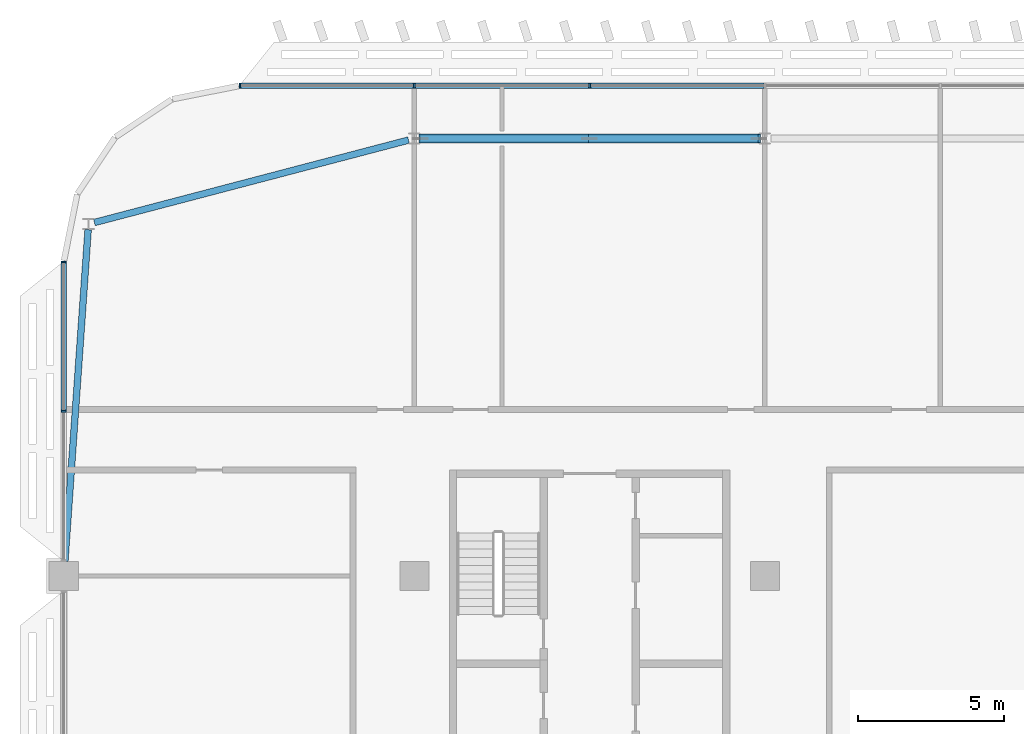
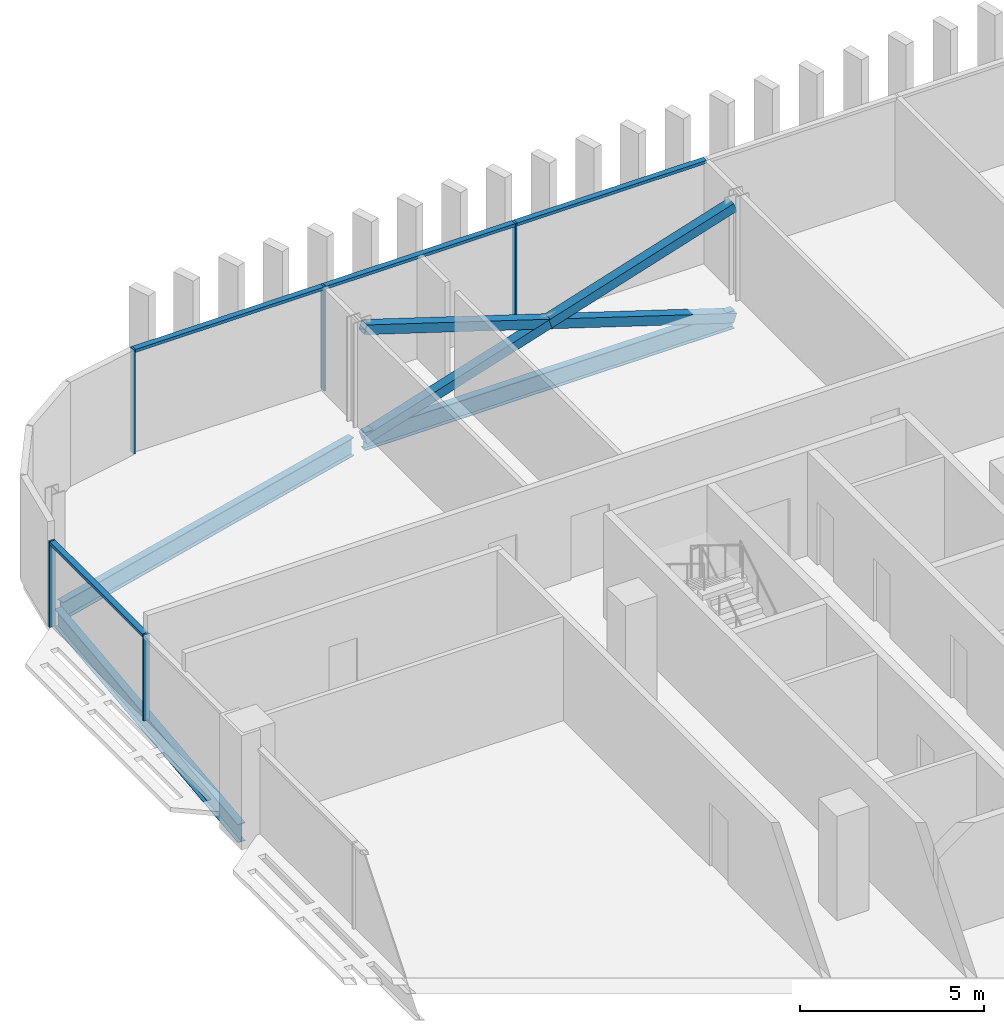
# One storey, part 9 of 32: 12 members, 3 beams, 2 elements without a shape of their own.
"""IFC4 building model written with IfcOpenShell, lengths in metres."""

import ifcopenshell
import ifcopenshell.guid

model = None  # the IFC model being written
_history = None  # IfcOwnerHistory: only IFC2X3 demands one
_inside = {}  # id of a spatial element -> (the spatial element, [elements in it])
_under = {}  # id of a project, library or spatial element -> (it, [spatial elements below it])
_declared = {}  # id of a project -> (the project, [libraries it declares])
_typed = {}  # id of a type object -> (the type object, [elements of that type])
_made_of = {}  # id of a material, layer set ... -> (it, [elements and type objects made of it])


def new_model(schema):
    """Start an empty IFC model of exactly this schema.

    Asked for "IFC4X3", IfcOpenShell would pick the latest addendum, in which some entities
    have other attributes; the version numbers below select the first issue.
    IFC2X3 requires an IfcOwnerHistory on every rooted entity: one is made here for all.
    """
    global model, _history
    if schema == "IFC4X3":
        model = ifcopenshell.file(schema_version=(4, 3, 0, 0))
    else:
        model = ifcopenshell.file(schema=schema)
    _inside.clear()
    _under.clear()
    _declared.clear()
    _typed.clear()
    _made_of.clear()
    _history = None
    if model.schema == "IFC2X3":
        org = make("IfcOrganization", Name="unknown")
        user = make(
            "IfcPersonAndOrganization",
            ThePerson=make("IfcPerson", FamilyName="unknown"),
            TheOrganization=org,
        )
        app = make(
            "IfcApplication",
            ApplicationDeveloper=org,
            Version="unknown",
            ApplicationFullName="unknown",
            ApplicationIdentifier="unknown",
        )
        _history = make(
            "IfcOwnerHistory",
            OwningUser=user,
            OwningApplication=app,
            ChangeAction="ADDED",
            CreationDate=0,
        )
    return model


def make(cls, **values):
    """One entity of the class cls with the attributes given. An attribute that is None is left unset."""
    return model.create_entity(
        cls, **{name: value for name, value in values.items() if value is not None}
    )


def rooted(cls, **values):
    """An entity with a GlobalId (a new one), such as an element, a storey or a relation."""
    return make(cls, GlobalId=ifcopenshell.guid.new(), OwnerHistory=_history, **values)


def si_unit(unit_type, name, prefix=None):
    """IfcSIUnit, for example si_unit("LENGTHUNIT", "METRE", prefix="MILLI")."""
    return make("IfcSIUnit", UnitType=unit_type, Prefix=prefix, Name=name)


def assignment(units):
    """IfcUnitAssignment: the units of a project."""
    return None if units is None else make("IfcUnitAssignment", Units=units)


def point(xyz):
    """IfcCartesianPoint."""
    return None if xyz is None else make("IfcCartesianPoint", Coordinates=xyz)


def direction(xyz):
    """IfcDirection."""
    return None if xyz is None else make("IfcDirection", DirectionRatios=xyz)


def frame(location, z_axis=None, x_axis=None):
    """IfcAxis2Placement3D, a coordinate frame: its origin and axes. An axis left out is left unset."""
    return make(
        "IfcAxis2Placement3D",
        Location=point(location),
        Axis=direction(z_axis),
        RefDirection=direction(x_axis),
    )


def frame_2d(location, x_axis=None):
    """IfcAxis2Placement2D, a coordinate frame in the plane: its origin and x axis."""
    return make(
        "IfcAxis2Placement2D", Location=point(location), RefDirection=direction(x_axis)
    )


def origin():
    """The frame at (0, 0, 0) with its axes left unset."""
    return frame((0.0, 0.0, 0.0))


def origin_2d():
    """The frame at (0, 0) in the plane with its x axis left unset."""
    return frame_2d((0.0, 0.0))


def place(relative_to, where):
    """IfcLocalPlacement: puts the frame where relative to a parent placement (None: the world)."""
    return make(
        "IfcLocalPlacement", PlacementRelTo=relative_to, RelativePlacement=where
    )


def context(
    kind, dimensions, precision=None, world=None, true_north=None, identifier=None
):
    """IfcGeometricRepresentationContext, for example the 3D "Model" context."""
    return make(
        "IfcGeometricRepresentationContext",
        ContextIdentifier=identifier,
        ContextType=kind,
        CoordinateSpaceDimension=dimensions,
        Precision=precision,
        WorldCoordinateSystem=world,
        TrueNorth=true_north,
    )


def subcontext(parent, identifier, kind, view, scale=None):
    """IfcGeometricRepresentationSubContext, for example "Body" below "Model"."""
    return make(
        "IfcGeometricRepresentationSubContext",
        ContextIdentifier=identifier,
        ContextType=kind,
        ParentContext=parent,
        TargetScale=scale,
        TargetView=view,
    )


def project(units=None, contexts=None):
    """IfcProject with its units and contexts."""
    return rooted(
        "IfcProject",
        Name="project",
        RepresentationContexts=contexts,
        UnitsInContext=assignment(units),
    )


def spatial(cls, under=None, at=None, **own):
    """A site, building, storey or space (cls), placed at a placement, below another one or the project."""
    s = rooted(cls, ObjectPlacement=at, **own)
    if under is not None:
        _under.setdefault(under.id(), (under, []))[1].append(s)
    return s


def profile(cls, at=None, kind="AREA", **sizes):
    """A parametric profile (cls). Its sizes go by their IFC names, for example OverallWidth=200.0."""
    return make(cls, ProfileType=kind, Position=at, **sizes)


def rectangle(**sizes):
    """IfcRectangleProfileDef."""
    return profile("IfcRectangleProfileDef", **sizes)


def hollow_rectangle(**sizes):
    """IfcRectangleHollowProfileDef."""
    return profile("IfcRectangleHollowProfileDef", **sizes)


def i_section(**sizes):
    """IfcIShapeProfileDef."""
    return profile("IfcIShapeProfileDef", **sizes)


def extrude(swept, where, along, depth):
    """IfcExtrudedAreaSolid: the profile swept, set in the frame where, extruded along a direction by depth."""
    return make(
        "IfcExtrudedAreaSolid",
        SweptArea=swept,
        Position=where,
        ExtrudedDirection=direction(along),
        Depth=depth,
    )


def shape(context_of_items, identifier, shape_type, items):
    """IfcShapeRepresentation: the items that make up one representation, for example the "Body"."""
    return make(
        "IfcShapeRepresentation",
        ContextOfItems=context_of_items,
        RepresentationIdentifier=identifier,
        RepresentationType=shape_type,
        Items=items,
    )


def material(Name=None, Category=None):
    """IfcMaterial."""
    return make("IfcMaterial", Name=Name, Category=Category)


def material_profile(
    of_material, cross_section, Name=None, Category=None, Priority=None
):
    """IfcMaterialProfile: a cross section and its material."""
    return make(
        "IfcMaterialProfile",
        Name=Name,
        Material=of_material,
        Profile=cross_section,
        Priority=Priority,
        Category=Category,
    )


def profile_set(profiles, Name=None, composite=None):
    """IfcMaterialProfileSet."""
    return make(
        "IfcMaterialProfileSet",
        Name=Name,
        MaterialProfiles=profiles,
        CompositeProfile=composite,
    )


def made_of(thing, what):
    """Note that an element or type object is made of a material, layer set ...; save() writes the relation."""
    if what is not None:
        _made_of.setdefault(what.id(), (what, []))[1].append(thing)
    return thing


def type_object(cls, material=None, **own):
    """A type object (cls), such as IfcWallType, which elements share."""
    return made_of(rooted(cls, **own), material)


def element(
    cls,
    number,
    at=None,
    inside=None,
    cuts=None,
    type_object=None,
    material=None,
    context=None,
    identifier="Body",
    shape_type=None,
    held_by="IfcProductDefinitionShape",
    body=None,
    shapes=None,
    **own,
):
    """One element of the class cls, such as IfcWall. Its Tag is "e" and its number.

    at: its placement. inside: the storey or other place that contains it. cuts: it is an
    opening in that element (IfcRelVoidsElement). A single representation is given by context,
    identifier, shape_type and body (its items); several are given by shapes. held_by: the class
    of the entity that holds the representations. save() writes the other relations.
    """
    e = rooted(cls, Tag="e%d" % number, ObjectPlacement=at, **own)
    if body is not None:
        shapes = [shape(context, identifier, shape_type, body)]
    if shapes is not None:
        e.Representation = make(held_by, Representations=shapes)
    if inside is not None:
        _inside.setdefault(inside.id(), (inside, []))[1].append(e)
    if cuts is not None:
        rooted(
            "IfcRelVoidsElement", RelatingBuildingElement=cuts, RelatedOpeningElement=e
        )
    if type_object is not None:
        _typed.setdefault(type_object.id(), (type_object, []))[1].append(e)
    return made_of(e, material)


def aggregate(whole, parts):
    """IfcRelAggregates: a whole, such as a stair, and the parts it consists of."""
    return rooted("IfcRelAggregates", RelatingObject=whole, RelatedObjects=parts)


def save(model, path):
    """Write the relations noted so far, then the file.

    IfcRelAggregates (storeys below a building ...), IfcRelContainedInSpatialStructure (elements
    in a storey), IfcRelDefinesByType, IfcRelAssociatesMaterial and IfcRelDeclares: one each for
    every whole, place, type object, material and project.
    """
    for whole, parts in _under.values():
        aggregate(whole, parts)
    for where, things in _inside.values():
        rooted(
            "IfcRelContainedInSpatialStructure",
            RelatedElements=things,
            RelatingStructure=where,
        )
    for kind, things in _typed.values():
        rooted("IfcRelDefinesByType", RelatedObjects=things, RelatingType=kind)
    for what, things in _made_of.values():
        rooted("IfcRelAssociatesMaterial", RelatedObjects=things, RelatingMaterial=what)
    for by, libraries in _declared.values():
        rooted("IfcRelDeclares", RelatingContext=by, RelatedDefinitions=libraries)
    model.write(path)


model = new_model("IFC4")

# Units and contexts
model_context = context("Model", 3, precision=1e-05, world=origin(), true_north=direction((0.0, 1.0)))
body_context = subcontext(model_context, "Body", "Model", "MODEL_VIEW")
ifc_project = project(units=[si_unit("LENGTHUNIT", "METRE"), si_unit("AREAUNIT", "SQUARE_METRE"), si_unit("VOLUMEUNIT", "CUBIC_METRE"), si_unit("PLANEANGLEUNIT", "RADIAN"), si_unit("MASSUNIT", "GRAM", prefix="KILO")], contexts=[model_context])

# Site, building, storey
site_placement = place(None, origin())
site = spatial("IfcSite", under=ifc_project, at=site_placement, CompositionType="ELEMENT")
building_placement = place(site_placement, origin())
building = spatial("IfcBuilding", under=site, at=building_placement, Name="Mahtab Terrace Research Tower", CompositionType="ELEMENT")
storey_placement = place(building_placement, frame((0.0, 0.0, 236.199951171875)))
storey = spatial("IfcBuildingStorey", under=building, at=storey_placement, Name="L57", CompositionType="ELEMENT", Elevation=236.199951171875)

# Members
ifc_material_1 = material(Name="Steel ASTM A500 Gr C", Category="steel")
ifc_material_profile_1 = material_profile(ifc_material_1, hollow_rectangle(XDim=0.3046875, YDim=0.3046875, WallThickness=0.015869140625, at=origin_2d()), Name="HSS12X12X5/8")
ifc_profile_set_1 = profile_set([ifc_material_profile_1], Name="Steel ASTM A500 Gr C")
member_type_1 = type_object("IfcMemberType", Name="HSS 12x12x5/8 brace XB121258", PredefinedType="BRACE", material=ifc_profile_set_1)
member_1_placement = place(storey_placement, frame((-18.199462890625, 26.472900390625, -0.580322265625), z_axis=(-0.953344342533, 0.0, 0.301885018774), x_axis=(0.0, -1.0, 0.0)))
element("IfcMember", 1, at=member_1_placement, inside=storey, type_object=member_type_1, Name="Exoskeleton brace L57 07 a", PredefinedType="BRACE", context=body_context, shape_type="SweptSolid", body=[
    extrude(hollow_rectangle(XDim=0.3046875, YDim=0.3046875, WallThickness=0.015869140625, at=origin_2d()), origin(), (0.0, 0.0, 1.0), 12.168701171875),
])
for number, where, z_axis, x_axis, name in (
    (2, (-29.800537109375, 26.472900390625, -0.580322265625), (0.953338568311, 0.0, 0.301903252998), (0.0, 1.0, 0.0), "Exoskeleton brace L57 07 b1"),
    (3, (-24.0, 26.472900390625, 1.256591796875), (0.953350116476, 0.0, 0.301866784219), (0.0, 1.0, 0.0), "Exoskeleton brace L57 07 b2"),
):
    element("IfcMember", number, at=place(storey_placement, frame(where, z_axis=z_axis, x_axis=x_axis)), inside=storey, type_object=member_type_1, Name=name, PredefinedType="BRACE", context=body_context, shape_type="SweptSolid", body=[
        extrude(hollow_rectangle(XDim=0.3046875, YDim=0.3046875, WallThickness=0.015869140625, at=origin_2d()), origin(), (0.0, 0.0, 1.0), 6.08447265625),
    ])

# Curtain wall, members
ifc_material_2 = material(Name="Office ribbon curtain wall")
curtain_wall_type = type_object("IfcCurtainWallType", Name="Office ribbon curtain wall", PredefinedType="NOTDEFINED", material=ifc_material_2)
curtain_wall_1_placement = place(storey_placement, origin())
curtain_wall_1 = element("IfcCurtainWall", 4, at=curtain_wall_1_placement, inside=storey, type_object=curtain_wall_type, Name="EN.L57.3.3", PredefinedType="NOTDEFINED")
ifc_material_3 = material(Name="Natural anodised aluminium", Category="aluminium")
ifc_material_profile_2 = material_profile(ifc_material_3, rectangle(XDim=0.179931640625, YDim=0.06005859375, at=origin_2d()), Name="MULLION 60x180")
ifc_profile_set_2 = profile_set([ifc_material_profile_2], Name="Natural anodised aluminium")
member_type_2 = type_object("IfcMemberType", Name="Office ribbon curtain wall mullion", PredefinedType="MULLION", material=ifc_profile_set_2)
member_2_placement = place(storey_placement, frame((-24.0, 28.278076171875, 0.0), z_axis=(0.0, 0.0, 1.0), x_axis=(0.0, -1.0, 0.0)))
member_2 = element("IfcMember", 5, at=member_2_placement, type_object=member_type_2, Name="CWO-7 mullion 13", PredefinedType="MULLION", context=body_context, shape_type="SweptSolid", body=[
    extrude(rectangle(XDim=0.179931640625, YDim=0.06005859375, at=origin_2d()), origin(), (0.0, 0.0, 1.0), 3.4599609375),
])
member_3_placement = place(storey_placement, frame((-30.0, 28.278076171875, 0.0), z_axis=(0.0, 0.0, 1.0), x_axis=(0.0, -1.0, 0.0)))
member_3 = element("IfcMember", 6, at=member_3_placement, type_object=member_type_2, Name="CWO-7 mullion 14", PredefinedType="MULLION", context=body_context, shape_type="SweptSolid", body=[
    extrude(rectangle(XDim=0.179931640625, YDim=0.06005859375, at=origin_2d()), origin(), (0.0, 0.0, 1.0), 3.4599609375),
])
member_4_placement = place(storey_placement, frame((-35.969970703125, 28.278076171875, 0.0), z_axis=(0.0, 0.0, 1.0), x_axis=(0.0, -1.0, 0.0)))
member_4 = element("IfcMember", 7, at=member_4_placement, type_object=member_type_2, Name="CWO-7 mullion 15", PredefinedType="MULLION", context=body_context, shape_type="SweptSolid", body=[
    extrude(rectangle(XDim=0.179931640625, YDim=0.06005859375, at=origin_2d()), origin(), (0.0, 0.0, 1.0), 3.4599609375),
])

curtain_wall_2_placement = place(storey_placement, origin())
curtain_wall_2 = element("IfcCurtainWall", 8, at=curtain_wall_2_placement, inside=storey, type_object=curtain_wall_type, Name="EN.L57.8.8", PredefinedType="NOTDEFINED")
member_5_placement = place(storey_placement, frame((-42.0, 22.248046875, 0.0), z_axis=(0.0, 0.0, 1.0), x_axis=(1.0, 0.0, 0.0)))
member_5 = element("IfcMember", 9, at=member_5_placement, type_object=member_type_2, Name="CWO-7 mullion 1", PredefinedType="MULLION", context=body_context, shape_type="SweptSolid", body=[
    extrude(rectangle(XDim=0.179931640625, YDim=0.06005859375, at=origin_2d()), origin(), (0.0, 0.0, 1.0), 2.85302734375),
])
member_6_placement = place(storey_placement, frame((-42.0, 17.138916015625, 0.0), z_axis=(0.0, 0.0, 1.0), x_axis=(1.0, 0.0, 0.0)))
member_6 = element("IfcMember", 10, at=member_6_placement, type_object=member_type_2, Name="CWO-7 mullion 2", PredefinedType="MULLION", context=body_context, shape_type="SweptSolid", body=[
    extrude(rectangle(XDim=0.179931640625, YDim=0.06005859375, at=origin_2d()), origin(), (0.0, 0.0, 1.0), 2.85302734375),
])

# Member
ifc_material_profile_3 = material_profile(ifc_material_3, rectangle(XDim=0.179931640625, YDim=0.10009765625, at=origin_2d()), Name="TRANSOM 100x180")
ifc_profile_set_3 = profile_set([ifc_material_profile_3], Name="Natural anodised aluminium")
member_type_3 = type_object("IfcMemberType", Name="Office ribbon curtain wall transom", PredefinedType="USERDEFINED", material=ifc_profile_set_3)
member_7_placement = place(storey_placement, frame((-18.030029296875, 28.278076171875, 3.41015625), z_axis=(-1.0, 0.0, 0.0), x_axis=(0.0, -1.0, 0.0)))
member_7 = element("IfcMember", 11, at=member_7_placement, type_object=member_type_3, Name="CWO-7 transom 12", ObjectType="TRANSOM", PredefinedType="USERDEFINED", context=body_context, shape_type="SweptSolid", body=[
    extrude(rectangle(XDim=0.179931640625, YDim=0.10009765625, at=origin_2d()), origin(), (0.0, 0.0, 1.0), 5.93994140625),
])

member_8_placement = place(storey_placement, frame((-24.030029296875, 28.278076171875, 3.41015625), z_axis=(-1.0, 0.0, 0.0), x_axis=(0.0, -1.0, 0.0)))
member_8 = element("IfcMember", 12, at=member_8_placement, type_object=member_type_3, Name="CWO-7 transom 13", ObjectType="TRANSOM", PredefinedType="USERDEFINED", context=body_context, shape_type="SweptSolid", body=[
    extrude(rectangle(XDim=0.179931640625, YDim=0.10009765625, at=origin_2d()), origin(), (0.0, 0.0, 1.0), 5.93994140625),
])

member_9_placement = place(storey_placement, frame((-30.030029296875, 28.278076171875, 3.41015625), z_axis=(-1.0, 0.0, 0.0), x_axis=(0.0, -1.0, 0.0)))
member_9 = element("IfcMember", 13, at=member_9_placement, type_object=member_type_3, Name="CWO-7 transom 14", ObjectType="TRANSOM", PredefinedType="USERDEFINED", context=body_context, shape_type="SweptSolid", body=[
    extrude(rectangle(XDim=0.179931640625, YDim=0.10009765625, at=origin_2d()), origin(), (0.0, 0.0, 1.0), 5.909912109375),
])

aggregate(curtain_wall_1, [member_2, member_3, member_4, member_7, member_8, member_9])

member_10_placement = place(storey_placement, frame((-42.0, 22.218017578125, 2.802978515625), z_axis=(0.0, -1.0, 0.0), x_axis=(1.0, 0.0, 0.0)))
member_10 = element("IfcMember", 14, at=member_10_placement, type_object=member_type_3, Name="CWO-7 transom 1", ObjectType="TRANSOM", PredefinedType="USERDEFINED", context=body_context, shape_type="SweptSolid", body=[
    extrude(rectangle(XDim=0.179931640625, YDim=0.10009765625, at=origin_2d()), origin(), (0.0, 0.0, 1.0), 5.049072265625),
])

aggregate(curtain_wall_2, [member_5, member_6, member_10])

# Beams
ifc_material_4 = material(Name="Steel ASTM A992 Gr 50", Category="steel")
ifc_material_profile_4 = material_profile(ifc_material_4, i_section(OverallWidth=0.228271484375, OverallDepth=0.607177734375, WebThickness=0.01123046875, FlangeThickness=0.017333984375, at=origin_2d()), Name="W24X76")
ifc_profile_set_4 = profile_set([ifc_material_profile_4], Name="Steel ASTM A992 Gr 50")
beam_type = type_object("IfcBeamType", Name="W24x76 beam BS2476", PredefinedType="BEAM", material=ifc_profile_set_4)
beam_1_placement = place(storey_placement, frame((-18.199462890625, 26.472900390625, -0.6435546875), z_axis=(-1.0, 0.0, 0.0), x_axis=(0.0, -1.0, 0.0)))
element("IfcBeam", 15, at=beam_1_placement, inside=storey, type_object=beam_type, Name="Spandrel beam L57 07", PredefinedType="BEAM", context=body_context, shape_type="SweptSolid", body=[
    extrude(i_section(OverallWidth=0.228271484375, OverallDepth=0.607177734375, WebThickness=0.01123046875, FlangeThickness=0.017333984375, at=origin_2d()), origin(), (0.0, 0.0, 1.0), 11.60107421875),
])
beam_2_placement = place(storey_placement, frame((-30.199462890625, 26.420654296875, -0.6435546875), z_axis=(-0.967252058434, -0.253817760323, 0.0), x_axis=(0.253817760323, -0.967252058434, 0.0)))
element("IfcBeam", 16, at=beam_2_placement, inside=storey, type_object=beam_type, Name="Spandrel beam L57 08", PredefinedType="BEAM", context=body_context, shape_type="SweptSolid", body=[
    extrude(i_section(OverallWidth=0.228271484375, OverallDepth=0.607177734375, WebThickness=0.01123046875, FlangeThickness=0.017333984375, at=origin_2d()), origin(), (0.0, 0.0, 1.0), 11.119140625),
])
beam_3_placement = place(storey_placement, frame((-41.16748046875, 23.35302734375, -0.6435546875), z_axis=(-0.070060954326, -0.997542712208, 0.0), x_axis=(0.997542712208, -0.070060954326, 0.0)))
element("IfcBeam", 17, at=beam_3_placement, inside=storey, type_object=beam_type, Name="Spandrel beam L57 09", PredefinedType="BEAM", context=body_context, shape_type="SweptSolid", body=[
    extrude(i_section(OverallWidth=0.228271484375, OverallDepth=0.607177734375, WebThickness=0.01123046875, FlangeThickness=0.017333984375, at=origin_2d()), origin(), (0.0, 0.0, 1.0), 11.381103515625),
])

save(model, "model.ifc")
